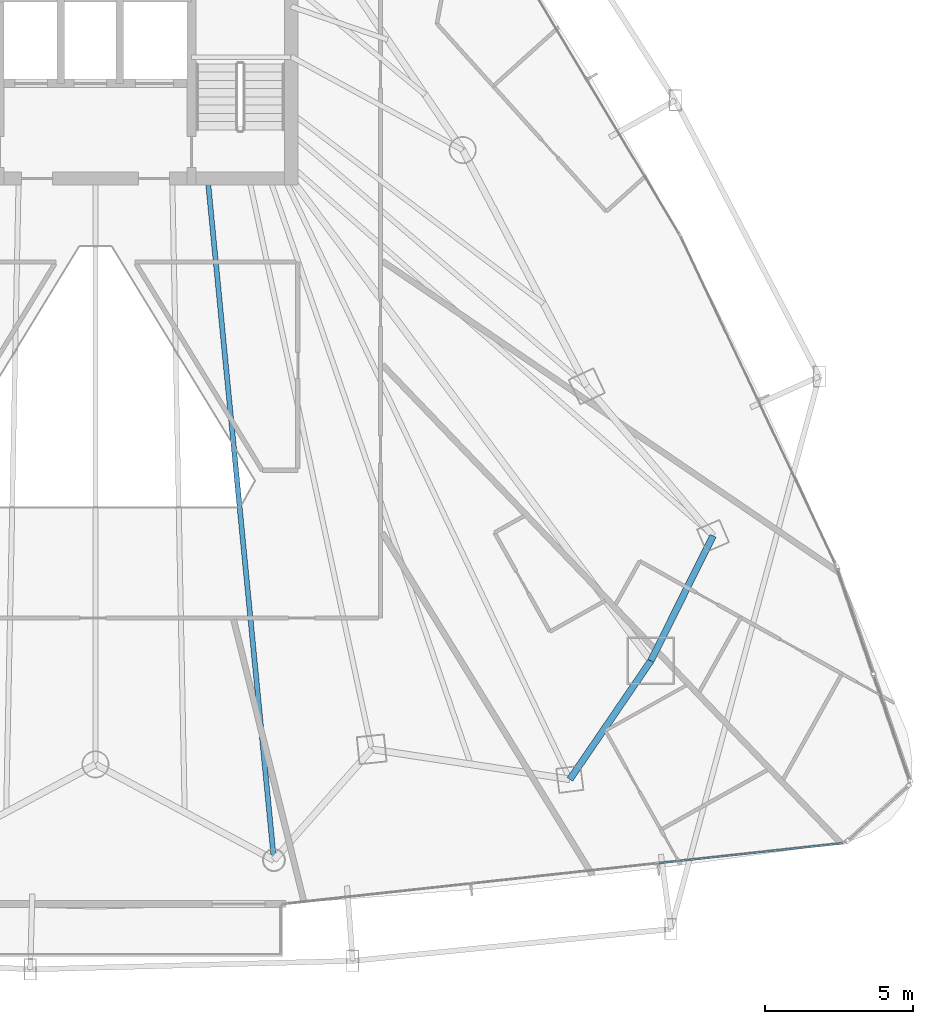
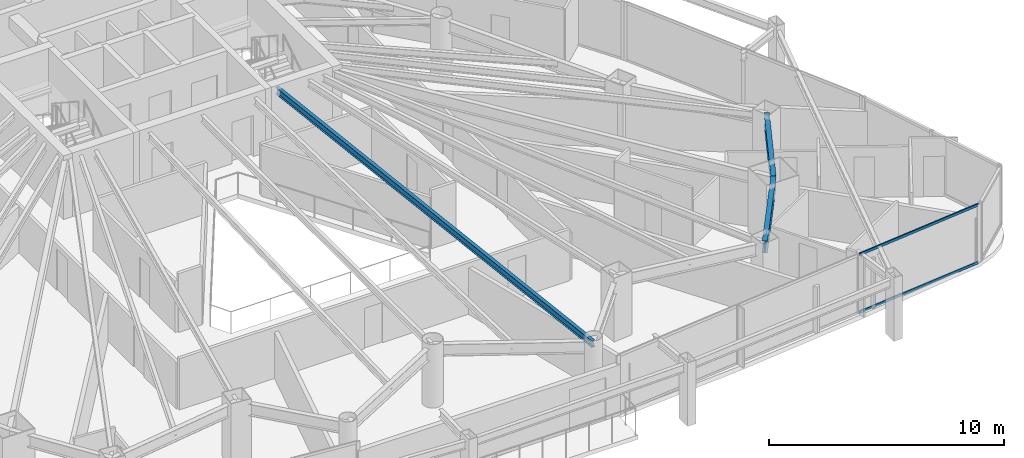
# One storey, part 13 of 34: 3 beams, 2 members, 1 element without a shape of its own.
"""IFC4 building model written with IfcOpenShell, lengths in metres."""

from ifc_helpers import new_model, si_unit, direction, frame, origin, origin_2d, place, context, subcontext, project, spatial, hollow_rectangle, i_section, extrude, material, layer, layer_set, material_profile, profile_set, type_object, element, aggregate, save


model = new_model("IFC4")

# Units and contexts
model_context = context("Model", 3, precision=1e-05, world=origin(), true_north=direction((0.0, 1.0)))
body_context = subcontext(model_context, "Body", "Model", "MODEL_VIEW")
ifc_project = project(units=[si_unit("LENGTHUNIT", "METRE"), si_unit("AREAUNIT", "SQUARE_METRE"), si_unit("VOLUMEUNIT", "CUBIC_METRE"), si_unit("PLANEANGLEUNIT", "RADIAN"), si_unit("MASSUNIT", "GRAM", prefix="KILO")], contexts=[model_context])

# Site, building, storey
site_placement = place(None, origin())
site = spatial("IfcSite", under=ifc_project, at=site_placement, CompositionType="ELEMENT")
building_placement = place(site_placement, origin())
building = spatial("IfcBuilding", under=site, at=building_placement, Name="Orvanel Arch Residences", CompositionType="ELEMENT")
storey_placement = place(building_placement, frame((0.0, 0.0, 74.14990234375)))
storey = spatial("IfcBuildingStorey", under=building, at=storey_placement, Name="L20", CompositionType="ELEMENT", Elevation=74.14990234375)

# Beams
ifc_material_1 = material(Name="Structural steel AS/NZS 3679.1 Grade 300 (300 MPa)", Category="steel")
ifc_material_profile_1 = material_profile(ifc_material_1, i_section(OverallWidth=0.1708984375, OverallDepth=0.35595703125, WebThickness=0.00732421875, FlangeThickness=0.011474609375, at=origin_2d()), Name="360UB50.7")
ifc_profile_set_1 = profile_set([ifc_material_profile_1], Name="Structural steel AS/NZS 3679.1 Grade 300 (300 MPa)")
beam_type_1 = type_object("IfcBeamType", Name="BJ-360UB", PredefinedType="JOIST", material=ifc_profile_set_1)
beam_1_placement = place(storey_placement, frame((36.800048828125, 26.675048828125, 2.882080078125), z_axis=(0.096724091756, -0.995311232768, 0.0), x_axis=(0.995311232768, 0.096724091756, 0.0)))
element("IfcBeam", 1, at=beam_1_placement, inside=storey, type_object=beam_type_1, Name="L20 LSE Wing Floor Joist", PredefinedType="JOIST", context=body_context, shape_type="SweptSolid", body=[
    extrude(i_section(OverallWidth=0.1708984375, OverallDepth=0.35595703125, WebThickness=0.00732421875, FlangeThickness=0.011474609375, at=origin_2d()), origin(), (0.0, 0.0, 1.0), 23.1787109375),
])
ifc_material_profile_2 = material_profile(ifc_material_1, i_section(OverallWidth=0.22900390625, OverallDepth=0.612060546875, WebThickness=0.011962890625, FlangeThickness=0.01953125, at=origin_2d()), Name="610UB125")
ifc_profile_set_2 = profile_set([ifc_material_profile_2], Name="Structural steel AS/NZS 3679.1 Grade 300 (300 MPa)")
beam_type_2 = type_object("IfcBeamType", Name="SP-610UB", PredefinedType="SPANDREL", material=ifc_profile_set_2)
beam_2_placement = place(storey_placement, frame((49.05908203125, 6.339111328125, 2.754150390625), z_axis=(0.564251579852, 0.825602903722, 0.0), x_axis=(-0.825602903722, 0.564251579852, 0.0)))
element("IfcBeam", 2, at=beam_2_placement, inside=storey, type_object=beam_type_2, Name="L20 Perimeter Spandrel Beam 10", PredefinedType="SPANDREL", context=body_context, shape_type="SweptSolid", body=[
    extrude(i_section(OverallWidth=0.22900390625, OverallDepth=0.612060546875, WebThickness=0.011962890625, FlangeThickness=0.01953125, at=origin_2d()), origin(), (0.0, 0.0, 1.0), 4.859375),
])
beam_3_placement = place(storey_placement, frame((51.801025390625, 10.35107421875, 2.754150390625), z_axis=(0.44543469453, 0.895314432425, 0.0), x_axis=(-0.895314432425, 0.44543469453, 0.0)))
element("IfcBeam", 3, at=beam_3_placement, inside=storey, type_object=beam_type_2, Name="L20 Perimeter Spandrel Beam 11", PredefinedType="SPANDREL", context=body_context, shape_type="SweptSolid", body=[
    extrude(i_section(OverallWidth=0.22900390625, OverallDepth=0.612060546875, WebThickness=0.011962890625, FlangeThickness=0.01953125, at=origin_2d()), origin(), (0.0, 0.0, 1.0), 4.723388671875),
])

# Curtain wall, members
ifc_material_2 = material(Name="Bronze-anodised aluminium AA6063-T6", Category="aluminium")
ifc_layer = layer(ifc_material_2, 0.179931640625)
ifc_layer_set = layer_set([ifc_layer], Name="Bronze-anodised aluminium AA6063-T6")
curtain_wall_type = type_object("IfcCurtainWallType", Name="CW2-LOW-SYS", PredefinedType="NOTDEFINED", material=ifc_layer_set)
curtain_wall_placement = place(storey_placement, origin())
curtain_wall = element("IfcCurtainWall", 4, at=curtain_wall_placement, inside=storey, type_object=curtain_wall_type, Name="L20 CW2-LOW-SYS Unitised Curtain Wall", PredefinedType="NOTDEFINED")
ifc_material_profile_3 = material_profile(ifc_material_2, hollow_rectangle(XDim=0.06005859375, YDim=0.135009765625, WallThickness=0.00390625, at=origin_2d()), Name="ALU135x60x4")
ifc_profile_set_3 = profile_set([ifc_material_profile_3], Name="Bronze-anodised aluminium AA6063-T6")
member_type = type_object("IfcMemberType", Name="TRN-135x60", PredefinedType="USERDEFINED", material=ifc_profile_set_3)
member_1_placement = place(storey_placement, frame((52.070556640625, 3.501220703125, 0.030029296875), z_axis=(0.994142734217, 0.10807508503, 0.0), x_axis=(-0.10807508503, 0.994142734217, 0.0)))
member_1 = element("IfcMember", 5, at=member_1_placement, type_object=member_type, Name="CW-S2 transom 3.1", ObjectType="TRANSOM", PredefinedType="USERDEFINED", context=body_context, shape_type="SweptSolid", body=[
    extrude(hollow_rectangle(XDim=0.06005859375, YDim=0.135009765625, WallThickness=0.00390625, at=origin_2d()), origin(), (0.0, 0.0, 1.0), 6.266357421875),
])
member_2_placement = place(storey_placement, frame((52.070556640625, 3.501220703125, 3.030029296875), z_axis=(0.994142734217, 0.10807508503, 0.0), x_axis=(-0.10807508503, 0.994142734217, 0.0)))
member_2 = element("IfcMember", 6, at=member_2_placement, type_object=member_type, Name="CW-S2 transom 3.2", ObjectType="TRANSOM", PredefinedType="USERDEFINED", context=body_context, shape_type="SweptSolid", body=[
    extrude(hollow_rectangle(XDim=0.06005859375, YDim=0.135009765625, WallThickness=0.00390625, at=origin_2d()), origin(), (0.0, 0.0, 1.0), 6.266357421875),
])
aggregate(curtain_wall, [member_1, member_2])

save(model, "model.ifc")
